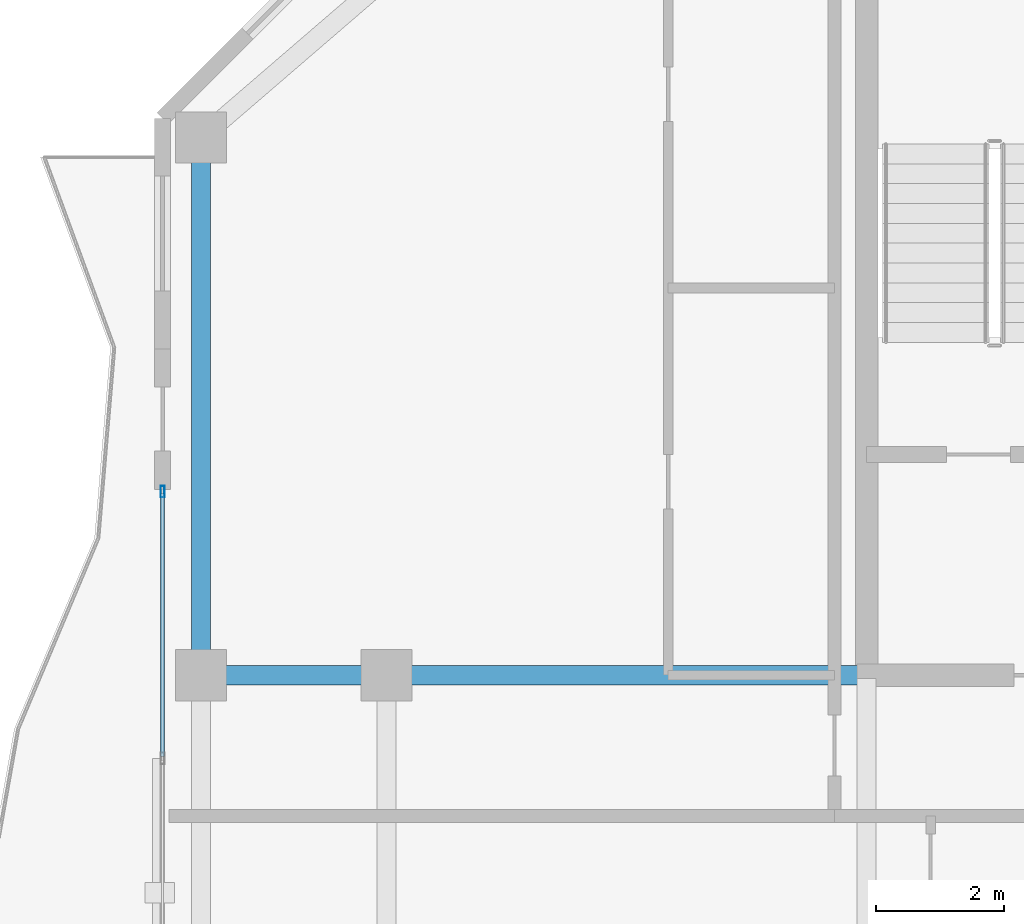
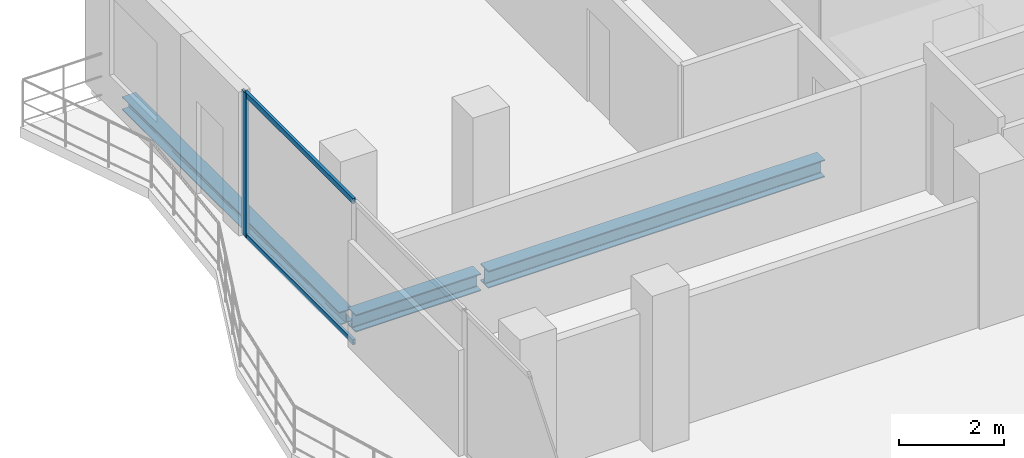
# One storey, part 9 of 23: 3 beams, 3 members, 1 element without a shape of its own.
"""IFC4 building model written with IfcOpenShell, lengths in metres."""

from ifc_helpers import new_model, si_unit, direction, frame, origin, origin_2d, place, context, subcontext, project, spatial, hollow_rectangle, i_section, extrude, material, layer, layer_set, material_profile, profile_set, type_object, element, aggregate, save


model = new_model("IFC4")

# Units and contexts
model_context = context("Model", 3, precision=1e-05, world=origin(), true_north=direction((0.0, 1.0)))
body_context = subcontext(model_context, "Body", "Model", "MODEL_VIEW")
ifc_project = project(units=[si_unit("LENGTHUNIT", "METRE"), si_unit("AREAUNIT", "SQUARE_METRE"), si_unit("VOLUMEUNIT", "CUBIC_METRE"), si_unit("PLANEANGLEUNIT", "RADIAN"), si_unit("MASSUNIT", "GRAM", prefix="KILO")], contexts=[model_context])

# Site, building, storey
site_placement = place(None, origin())
site = spatial("IfcSite", under=ifc_project, at=site_placement, CompositionType="ELEMENT")
building_placement = place(site_placement, origin())
building = spatial("IfcBuilding", under=site, at=building_placement, Name="Catumbela Crestline Tower", CompositionType="ELEMENT")
storey_placement = place(building_placement, frame((0.0, 0.0, 175.8)))
storey = spatial("IfcBuildingStorey", under=building, at=storey_placement, Name="L45", CompositionType="ELEMENT", Elevation=175.8)

# Beams
ifc_material_1 = material(Name="Structural steel S355J2", Category="steel")
ifc_material_profile_1 = material_profile(ifc_material_1, i_section(OverallWidth=0.3, OverallDepth=0.4, WebThickness=0.0135, FlangeThickness=0.024, FilletRadius=0.027, at=origin_2d()), Name="HEB 400")
ifc_profile_set_1 = profile_set([ifc_material_profile_1], Name="Structural steel S355J2")
beam_type_1 = type_object("IfcBeamType", Name="BG-HEB400", PredefinedType="BEAM", material=ifc_profile_set_1)
beam_1_placement = place(storey_placement, frame((5.68, 30.8, -0.46), z_axis=(1.0, 0.0, 0.0), x_axis=(0.0, 1.0, 0.0)))
element("IfcBeam", 1, at=beam_1_placement, inside=storey, type_object=beam_type_1, Name="L45 Beam BM-L45-M06", PredefinedType="BEAM", context=body_context, shape_type="SweptSolid", body=[
    extrude(i_section(OverallWidth=0.3, OverallDepth=0.4, WebThickness=0.0135, FlangeThickness=0.024, FilletRadius=0.027, at=origin_2d()), origin(), (0.0, 0.0, 1.0), 2.74),
])
beam_2_placement = place(storey_placement, frame((8.58, 30.8, -0.46), z_axis=(1.0, 0.0, 0.0), x_axis=(0.0, 1.0, 0.0)))
element("IfcBeam", 2, at=beam_2_placement, inside=storey, type_object=beam_type_1, Name="L45 Beam BM-L45-M07", PredefinedType="BEAM", context=body_context, shape_type="SweptSolid", body=[
    extrude(i_section(OverallWidth=0.3, OverallDepth=0.4, WebThickness=0.0135, FlangeThickness=0.024, FilletRadius=0.027, at=origin_2d()), origin(), (0.0, 0.0, 1.0), 7.37),
])

# Curtain wall, member
ifc_material_2 = material(Name="Aluminium alloy AW-6060-T66", Category="aluminium")
ifc_layer = layer(ifc_material_2, 0.18, Name="Aluminium alloy AW-6060-T66")
ifc_layer_set = layer_set([ifc_layer], Name="Aluminium alloy AW-6060-T66")
curtain_wall_type = type_object("IfcCurtainWallType", Name="CWU-Z3", PredefinedType="USERDEFINED", material=ifc_layer_set)
curtain_wall_placement = place(storey_placement, origin())
curtain_wall = element("IfcCurtainWall", 3, at=curtain_wall_placement, inside=storey, type_object=curtain_wall_type, Name="L45 Unitised Curtain Wall CW-L45-E9S2", ObjectType="UNITISED", PredefinedType="USERDEFINED")
ifc_material_profile_2 = material_profile(ifc_material_2, hollow_rectangle(XDim=0.065, YDim=0.18, WallThickness=0.004, at=origin_2d()), Name="ALU 180x65x4")
ifc_profile_set_2 = profile_set([ifc_material_profile_2], Name="Aluminium alloy AW-6060-T66")
member_type_1 = type_object("IfcMemberType", Name="MUL-180X65", PredefinedType="MULLION", material=ifc_profile_set_2)
member_1_placement = place(storey_placement, frame((5.0, 33.6675, 0.0), z_axis=(0.0, 0.0, 1.0), x_axis=(1.0, 0.0, 0.0)))
member_1 = element("IfcMember", 4, at=member_1_placement, type_object=member_type_1, Name="CWU-Z3 mullion 1", PredefinedType="MULLION", context=body_context, shape_type="SweptSolid", body=[
    extrude(hollow_rectangle(XDim=0.065, YDim=0.18, WallThickness=0.004, at=origin_2d()), origin(), (0.0, 0.0, 1.0), 3.33),
])

# Beam
ifc_material_profile_3 = material_profile(ifc_material_1, i_section(OverallWidth=0.3, OverallDepth=0.3, WebThickness=0.011, FlangeThickness=0.019, FilletRadius=0.027, at=origin_2d()), Name="HEB 300")
ifc_profile_set_3 = profile_set([ifc_material_profile_3], Name="Structural steel S355J2")
beam_type_2 = type_object("IfcBeamType", Name="BS-HEB300", PredefinedType="SPANDREL", material=ifc_profile_set_3)
beam_3_placement = place(storey_placement, frame((5.6, 30.88, -0.41), z_axis=(0.0, 1.0, 0.0), x_axis=(-1.0, 0.0, 0.0)))
element("IfcBeam", 5, at=beam_3_placement, inside=storey, type_object=beam_type_2, Name="L45 Spandrel SP-L45-SN15", PredefinedType="SPANDREL", context=body_context, shape_type="SweptSolid", body=[
    extrude(i_section(OverallWidth=0.3, OverallDepth=0.3, WebThickness=0.011, FlangeThickness=0.019, FilletRadius=0.027, at=origin_2d()), origin(), (0.0, 0.0, 1.0), 8.24),
])

# Member
ifc_material_profile_4 = material_profile(ifc_material_2, hollow_rectangle(XDim=0.06, YDim=0.12, WallThickness=0.0035, at=origin_2d()), Name="ALU 120x60x3.5")
ifc_profile_set_4 = profile_set([ifc_material_profile_4], Name="Aluminium alloy AW-6060-T66")
member_type_2 = type_object("IfcMemberType", Name="TRN-120X60", PredefinedType="USERDEFINED", material=ifc_profile_set_4)
member_2_placement = place(storey_placement, frame((5.0, 33.635, 0.03), z_axis=(0.0, -1.0, 0.0), x_axis=(1.0, 0.0, 0.0)))
member_2 = element("IfcMember", 6, at=member_2_placement, type_object=member_type_2, Name="CWU-Z3 transom 1.1", ObjectType="TRANSOM", PredefinedType="USERDEFINED", context=body_context, shape_type="SweptSolid", body=[
    extrude(hollow_rectangle(XDim=0.06, YDim=0.12, WallThickness=0.0035, at=origin_2d()), origin(), (0.0, 0.0, 1.0), 4.1025),
])

member_3_placement = place(storey_placement, frame((5.0, 33.635, 3.3), z_axis=(0.0, -1.0, 0.0), x_axis=(1.0, 0.0, 0.0)))
member_3 = element("IfcMember", 7, at=member_3_placement, type_object=member_type_2, Name="CWU-Z3 transom 1.2", ObjectType="TRANSOM", PredefinedType="USERDEFINED", context=body_context, shape_type="SweptSolid", body=[
    extrude(hollow_rectangle(XDim=0.06, YDim=0.12, WallThickness=0.0035, at=origin_2d()), origin(), (0.0, 0.0, 1.0), 4.1025),
])

aggregate(curtain_wall, [member_1, member_2, member_3])

save(model, "model.ifc")
